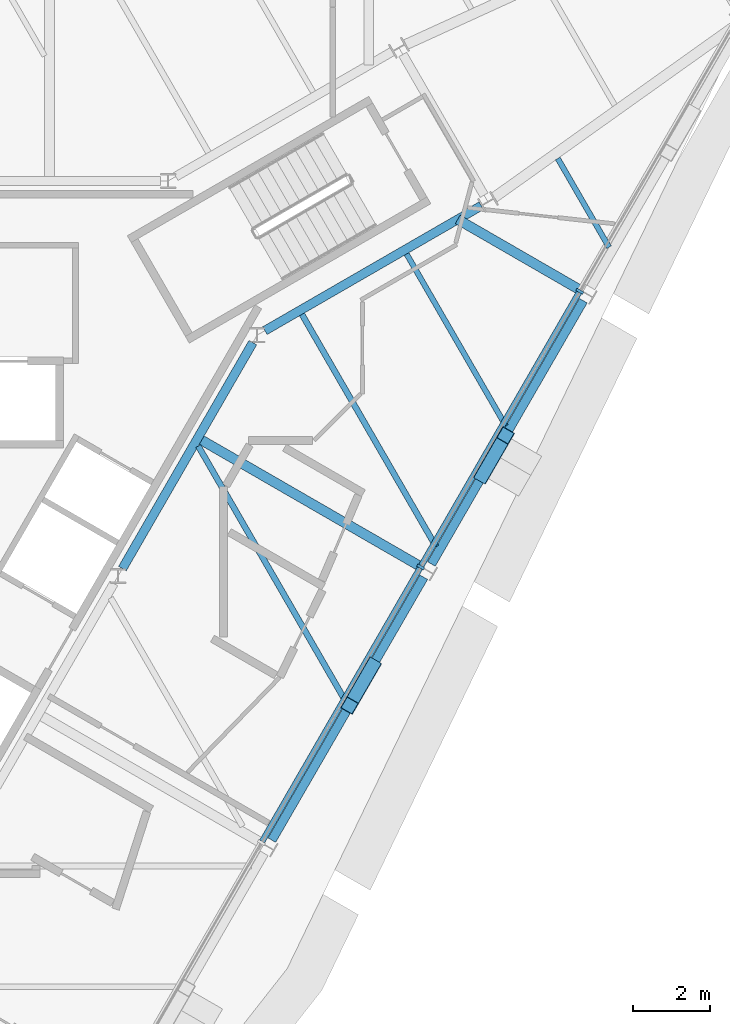
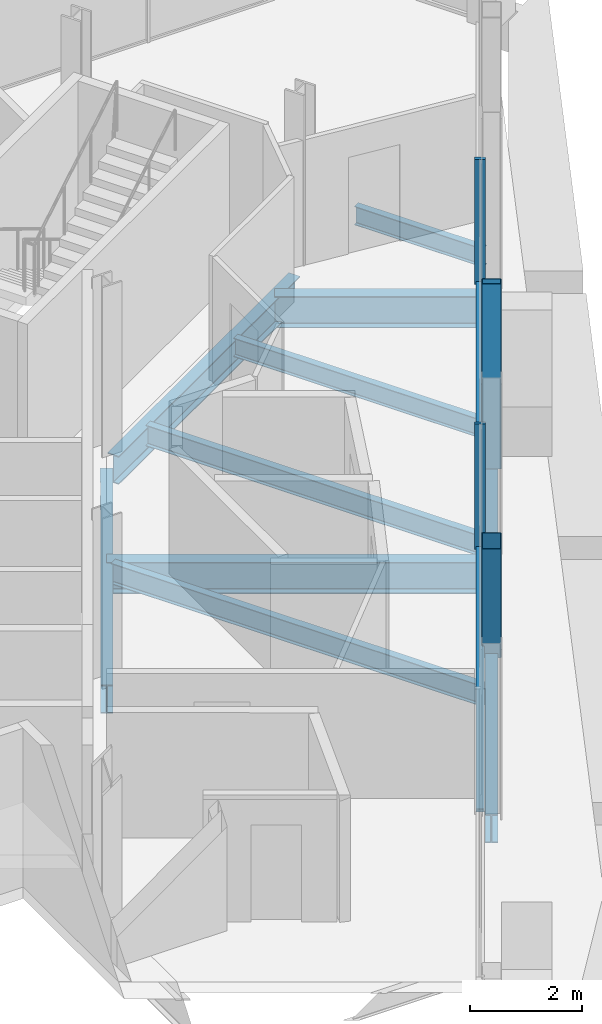
# One storey, part 4 of 12: 10 beams, 6 members, 1 element without a shape of its own.
"""IFC4 building model written with IfcOpenShell, lengths in metres."""

from ifc_helpers import new_model, si_unit, direction, frame, origin, origin_2d, place, context, subcontext, project, spatial, rectangle, hollow_rectangle, i_section, extrude, material, material_profile, profile_set, type_object, element, aggregate, save


model = new_model("IFC4")

# Units and contexts
model_context = context("Model", 3, precision=1e-05, world=origin(), true_north=direction((0.0, 1.0)))
body_context = subcontext(model_context, "Body", "Model", "MODEL_VIEW")
ifc_project = project(units=[si_unit("LENGTHUNIT", "METRE"), si_unit("AREAUNIT", "SQUARE_METRE"), si_unit("VOLUMEUNIT", "CUBIC_METRE"), si_unit("PLANEANGLEUNIT", "RADIAN"), si_unit("MASSUNIT", "GRAM", prefix="KILO")], contexts=[model_context])

# Site, building, storey
site_placement = place(None, origin())
site = spatial("IfcSite", under=ifc_project, at=site_placement, CompositionType="ELEMENT")
building_placement = place(site_placement, origin())
building = spatial("IfcBuilding", under=site, at=building_placement, Name="Verrane Prism Tower", CompositionType="ELEMENT")
storey_placement = place(building_placement, frame((0.0, 0.0, 271.39990234375)))
storey = spatial("IfcBuildingStorey", under=building, at=storey_placement, Name="L68", CompositionType="ELEMENT", Elevation=271.39990234375)

# Beams
ifc_material_1 = material(Name="Steel A992", Category="steel")
ifc_material_profile_1 = material_profile(ifc_material_1, i_section(OverallWidth=0.23046875, OverallDepth=0.6171875, WebThickness=0.01318359375, FlangeThickness=0.022216796875, FilletRadius=0.012939453125, at=origin_2d()), Name="W24x94")
ifc_profile_set_1 = profile_set([ifc_material_profile_1], Name="Steel A992")
beam_type_1 = type_object("IfcBeamType", Name="Core ring girder W24x94", PredefinedType="BEAM", material=ifc_profile_set_1)
beam_1_placement = place(storey_placement, frame((9.679443359375, 2.93505859375, -0.55859375), z_axis=(0.866080992722, 0.499903704773, 0.0), x_axis=(-0.499903704773, 0.866080992722, 0.0)))
element("IfcBeam", 1, at=beam_1_placement, inside=storey, type_object=beam_type_1, Name="Core ring girder L68", PredefinedType="BEAM", context=body_context, shape_type="SweptSolid", body=[
    extrude(i_section(OverallWidth=0.23046875, OverallDepth=0.6171875, WebThickness=0.01318359375, FlangeThickness=0.022216796875, FilletRadius=0.012939453125, at=origin_2d()), origin(), (0.0, 0.0, 1.0), 6.451904296875),
])
beam_2_placement = place(storey_placement, frame((6.00146484375, -3.20703125, -0.55859375), z_axis=(0.499881421193, 0.866093854468, 0.0), x_axis=(-0.866093854468, 0.499881421193, 0.0)))
element("IfcBeam", 2, at=beam_2_placement, inside=storey, type_object=beam_type_1, Name="Core ring girder L68", PredefinedType="BEAM", context=body_context, shape_type="SweptSolid", body=[
    extrude(i_section(OverallWidth=0.23046875, OverallDepth=0.6171875, WebThickness=0.01318359375, FlangeThickness=0.022216796875, FilletRadius=0.012939453125, at=origin_2d()), origin(), (0.0, 0.0, 1.0), 6.736083984375),
])

# Members
ifc_material_2 = material(Name="Steel A500 Grade C", Category="steel")
ifc_material_profile_2 = material_profile(ifc_material_2, hollow_rectangle(XDim=0.355712890625, YDim=0.355712890625, WallThickness=0.0126953125, InnerFilletRadius=0.00634765625, OuterFilletRadius=0.01904296875, at=origin_2d()), Name="HSS14x14x1/2")
ifc_profile_set_2 = profile_set([ifc_material_profile_2], Name="Steel A500 Grade C")
member_type_1 = type_object("IfcMemberType", Name="Facade brace HSS14x14x1/2", PredefinedType="BRACE", material=ifc_profile_set_2)
member_1_placement = place(storey_placement, frame((12.4599609375, -5.717529296875, -0.216552734375), z_axis=(-0.17403322665, -0.301156262578, 0.937559246945), x_axis=(0.865825429664, -0.500346205489, 0.0)))
element("IfcMember", 3, at=member_1_placement, inside=storey, type_object=member_type_1, Name="Facade brace SE2 L68", PredefinedType="BRACE", context=body_context, shape_type="SweptSolid", body=[
    extrude(hollow_rectangle(XDim=0.355712890625, YDim=0.355712890625, WallThickness=0.0126953125, InnerFilletRadius=0.00634765625, OuterFilletRadius=0.01904296875, at=origin_2d()), origin(), (0.0, 0.0, 1.0), 3.408935546875),
])
member_2_placement = place(storey_placement, frame((15.300048828125, -0.799072265625, -0.216552734375), z_axis=(0.174010693257, 0.30154692564, 0.937437854084), x_axis=(-0.86613421761, 0.499811481546, 0.0)))
element("IfcMember", 4, at=member_2_placement, inside=storey, type_object=member_type_1, Name="Facade brace SE3 L68", PredefinedType="BRACE", context=body_context, shape_type="SweptSolid", body=[
    extrude(hollow_rectangle(XDim=0.355712890625, YDim=0.355712890625, WallThickness=0.0126953125, InnerFilletRadius=0.00634765625, OuterFilletRadius=0.01904296875, at=origin_2d()), origin(), (0.0, 0.0, 1.0), 3.409423828125),
])

# Beams
ifc_material_3 = material(Name="Steel A992", Category="steel")
ifc_material_profile_3 = material_profile(ifc_material_3, i_section(OverallWidth=0.140380859375, OverallDepth=0.40380859375, WebThickness=0.007080078125, FlangeThickness=0.01123046875, FilletRadius=0.01025390625, at=origin_2d()), Name="W16x31")
ifc_profile_set_3 = profile_set([ifc_material_profile_3], Name="Steel A992")
beam_type_2 = type_object("IfcBeamType", Name="Floor beam W16x31", PredefinedType="BEAM", material=ifc_profile_set_3)
beam_3_placement = place(storey_placement, frame((15.902099609375, 0.474609375, -0.36181640625), z_axis=(-0.500011000363, 0.866019052629, 0.0), x_axis=(-0.866019052629, -0.500011000363, 0.0)))
element("IfcBeam", 5, at=beam_3_placement, inside=storey, type_object=beam_type_2, Name="Floor beam L68", PredefinedType="BEAM", context=body_context, shape_type="SweptSolid", body=[
    extrude(i_section(OverallWidth=0.140380859375, OverallDepth=0.40380859375, WebThickness=0.007080078125, FlangeThickness=0.01123046875, FilletRadius=0.01025390625, at=origin_2d()), origin(), (0.0, 0.0, 1.0), 5.126953125),
])
beam_4_placement = place(storey_placement, frame((18.565185546875, 5.089599609375, -0.36181640625), z_axis=(-0.49994082229, 0.866059567356, 0.0), x_axis=(-0.866059567356, -0.49994082229, 0.0)))
element("IfcBeam", 6, at=beam_4_placement, inside=storey, type_object=beam_type_2, Name="Floor beam L68", PredefinedType="BEAM", context=body_context, shape_type="SweptSolid", body=[
    extrude(i_section(OverallWidth=0.140380859375, OverallDepth=0.40380859375, WebThickness=0.007080078125, FlangeThickness=0.01123046875, FilletRadius=0.01025390625, at=origin_2d()), origin(), (0.0, 0.0, 1.0), 2.645263671875),
])
ifc_material_4 = material(Name="Steel A992", Category="steel")
ifc_material_profile_4 = material_profile(ifc_material_4, i_section(OverallWidth=0.15234375, OverallDepth=0.449462890625, WebThickness=0.007568359375, FlangeThickness=0.0107421875, FilletRadius=0.01025390625, at=origin_2d()), Name="W18x35")
ifc_profile_set_4 = profile_set([ifc_material_profile_4], Name="Steel A992")
beam_type_3 = type_object("IfcBeamType", Name="Floor beam W18x35", PredefinedType="BEAM", material=ifc_profile_set_4)
beam_5_placement = place(storey_placement, frame((11.78076171875, -6.6630859375, -0.384765625), z_axis=(-0.499997113229, 0.866027070456, 0.0), x_axis=(-0.866027070456, -0.499997113229, 0.0)))
element("IfcBeam", 7, at=beam_5_placement, inside=storey, type_object=beam_type_3, Name="Floor beam L68", PredefinedType="BEAM", context=body_context, shape_type="SweptSolid", body=[
    extrude(i_section(OverallWidth=0.15234375, OverallDepth=0.449462890625, WebThickness=0.007568359375, FlangeThickness=0.0107421875, FilletRadius=0.01025390625, at=origin_2d()), origin(), (0.0, 0.0, 1.0), 7.64306640625),
])
beam_6_placement = place(storey_placement, frame((14.1015625, -2.64599609375, -0.384765625), z_axis=(-0.49999287541, 0.866029517129, 0.0), x_axis=(-0.866029517129, -0.49999287541, 0.0)))
element("IfcBeam", 8, at=beam_6_placement, inside=storey, type_object=beam_type_3, Name="Floor beam L68", PredefinedType="BEAM", context=body_context, shape_type="SweptSolid", body=[
    extrude(i_section(OverallWidth=0.15234375, OverallDepth=0.449462890625, WebThickness=0.007568359375, FlangeThickness=0.0107421875, FilletRadius=0.01025390625, at=origin_2d()), origin(), (0.0, 0.0, 1.0), 6.92919921875),
])

# Curtain wall, members
ifc_material_5 = material(Name="Aluminium framed insulated glazing", Category="aluminium")
curtain_wall_type = type_object("IfcCurtainWallType", Name="Curtain wall CW-A 8400 module", PredefinedType="NOTDEFINED", material=ifc_material_5)
curtain_wall_placement = place(storey_placement, origin())
curtain_wall = element("IfcCurtainWall", 9, at=curtain_wall_placement, inside=storey, type_object=curtain_wall_type, Name="Glazed curtain wall south-east face L68", PredefinedType="NOTDEFINED")
ifc_material_6 = material(Name="Aluminium alloy 6063-T6", Category="aluminium")
ifc_material_profile_5 = material_profile(ifc_material_6, rectangle(XDim=0.199951171875, YDim=0.070068359375, at=origin_2d()), Name="Mullion 70x200 aluminium")
ifc_profile_set_5 = profile_set([ifc_material_profile_5], Name="Aluminium alloy 6063-T6")
member_type_2 = type_object("IfcMemberType", Name="Mullion 70x200 aluminium", PredefinedType="MULLION", material=ifc_profile_set_5)
member_3_placement = place(storey_placement, frame((13.7001953125, -3.1650390625, 0.0), z_axis=(0.0, 0.0, 1.0), x_axis=(-0.866024861728, 0.500000938868, 0.0)))
member_3 = element("IfcMember", 10, at=member_3_placement, type_object=member_type_2, Name="CW66.6 mullion 4", PredefinedType="MULLION", context=body_context, shape_type="SweptSolid", body=[
    extrude(rectangle(XDim=0.199951171875, YDim=0.070068359375, at=origin_2d()), origin(), (0.0, 0.0, 1.0), 2.72314453125),
])
member_4_placement = place(storey_placement, frame((17.8095703125, 3.952392578125, 0.0), z_axis=(0.0, 0.0, 1.0), x_axis=(-0.866024861728, 0.500000938868, 0.0)))
member_4 = element("IfcMember", 11, at=member_4_placement, type_object=member_type_2, Name="CW66.6 mullion 5", PredefinedType="MULLION", context=body_context, shape_type="SweptSolid", body=[
    extrude(rectangle(XDim=0.199951171875, YDim=0.070068359375, at=origin_2d()), origin(), (0.0, 0.0, 1.0), 2.72314453125),
])

# Beams
ifc_material_7 = material(Name="Steel A992", Category="steel")
ifc_material_profile_6 = material_profile(ifc_material_7, i_section(OverallWidth=0.25390625, OverallDepth=0.683349609375, WebThickness=0.012451171875, FlangeThickness=0.01904296875, FilletRadius=0.01513671875, at=origin_2d()), Name="W27x94")
ifc_profile_set_6 = profile_set([ifc_material_profile_6], Name="Steel A992")
beam_type_4 = type_object("IfcBeamType", Name="Radial girder W27x94", PredefinedType="BEAM", material=ifc_profile_set_6)
beam_7_placement = place(storey_placement, frame((13.71728515625, -3.166015625, -0.5615234375), z_axis=(-0.866033637652, 0.499985738252, 0.0), x_axis=(-0.499985738252, -0.866033637652, 0.0)))
element("IfcBeam", 12, at=beam_7_placement, inside=storey, type_object=beam_type_4, Name="Radial girder L68", PredefinedType="BEAM", context=body_context, shape_type="SweptSolid", body=[
    extrude(i_section(OverallWidth=0.25390625, OverallDepth=0.683349609375, WebThickness=0.012451171875, FlangeThickness=0.01904296875, FilletRadius=0.01513671875, at=origin_2d()), origin(), (0.0, 0.0, 1.0), 6.662353515625),
])
beam_8_placement = place(storey_placement, frame((17.837158203125, 3.97412109375, -0.5615234375), z_axis=(-0.866040472627, 0.499973899091, 0.0), x_axis=(-0.499973899091, -0.866040472627, 0.0)))
element("IfcBeam", 13, at=beam_8_placement, inside=storey, type_object=beam_type_4, Name="Radial girder L68", PredefinedType="BEAM", context=body_context, shape_type="SweptSolid", body=[
    extrude(i_section(OverallWidth=0.25390625, OverallDepth=0.683349609375, WebThickness=0.012451171875, FlangeThickness=0.01904296875, FilletRadius=0.01513671875, at=origin_2d()), origin(), (0.0, 0.0, 1.0), 3.670166015625),
])
ifc_material_8 = material(Name="Steel A992", Category="steel")
ifc_material_profile_7 = material_profile(ifc_material_8, i_section(OverallWidth=0.23046875, OverallDepth=0.6171875, WebThickness=0.01318359375, FlangeThickness=0.022216796875, FilletRadius=0.012939453125, at=origin_2d()), Name="W24x94")
ifc_profile_set_7 = profile_set([ifc_material_profile_7], Name="Steel A992")
beam_type_5 = type_object("IfcBeamType", Name="Spandrel beam W24x94", PredefinedType="SPANDREL", material=ifc_profile_set_7)
beam_9_placement = place(storey_placement, frame((9.8583984375, -10.219482421875, -0.468505859375), z_axis=(0.500327915282, 0.865835999015, 0.0), x_axis=(-0.865835999015, 0.500327915282, 0.0)))
element("IfcBeam", 14, at=beam_9_placement, inside=storey, type_object=beam_type_5, Name="Spandrel beam L68", PredefinedType="SPANDREL", context=body_context, shape_type="SweptSolid", body=[
    extrude(i_section(OverallWidth=0.23046875, OverallDepth=0.6171875, WebThickness=0.01318359375, FlangeThickness=0.022216796875, FilletRadius=0.012939453125, at=origin_2d()), origin(), (0.0, 0.0, 1.0), 7.841064453125),
])
beam_10_placement = place(storey_placement, frame((13.978515625, -3.089599609375, -0.468505859375), z_axis=(0.499775405071, 0.866155034902, 0.0), x_axis=(-0.866155034902, 0.499775405071, 0.0)))
element("IfcBeam", 15, at=beam_10_placement, inside=storey, type_object=beam_type_5, Name="Spandrel beam L68", PredefinedType="SPANDREL", context=body_context, shape_type="SweptSolid", body=[
    extrude(i_section(OverallWidth=0.23046875, OverallDepth=0.6171875, WebThickness=0.01318359375, FlangeThickness=0.022216796875, FilletRadius=0.012939453125, at=origin_2d()), origin(), (0.0, 0.0, 1.0), 7.849609375),
])

# Member
ifc_material_9 = material(Name="Aluminium alloy 6063-T6", Category="aluminium")
ifc_material_profile_8 = material_profile(ifc_material_9, rectangle(XDim=0.14990234375, YDim=0.070068359375, at=origin_2d()), Name="Transom 70x150 aluminium")
ifc_profile_set_8 = profile_set([ifc_material_profile_8], Name="Aluminium alloy 6063-T6")
member_type_3 = type_object("IfcMemberType", Name="Transom 70x150 aluminium", PredefinedType="USERDEFINED", material=ifc_profile_set_8)
member_5_placement = place(storey_placement, frame((9.608642578125, -10.251953125, 0.03515625), z_axis=(0.500006018292, 0.866021929094, 0.0), x_axis=(-0.866021929094, 0.500006018292, 0.0)))
member_5 = element("IfcMember", 16, at=member_5_placement, type_object=member_type_3, Name="CW66.6 transom 3", ObjectType="TRANSOM", PredefinedType="USERDEFINED", context=body_context, shape_type="SweptSolid", body=[
    extrude(rectangle(XDim=0.14990234375, YDim=0.070068359375, at=origin_2d()), origin(), (0.0, 0.0, 1.0), 8.1484375),
])

member_6_placement = place(storey_placement, frame((13.7177734375, -3.134521484375, 0.03515625), z_axis=(0.500006018292, 0.866021929094, 0.0), x_axis=(-0.866021929094, 0.500006018292, 0.0)))
member_6 = element("IfcMember", 17, at=member_6_placement, type_object=member_type_3, Name="CW66.6 transom 4", ObjectType="TRANSOM", PredefinedType="USERDEFINED", context=body_context, shape_type="SweptSolid", body=[
    extrude(rectangle(XDim=0.14990234375, YDim=0.070068359375, at=origin_2d()), origin(), (0.0, 0.0, 1.0), 8.1484375),
])

aggregate(curtain_wall, [member_3, member_4, member_5, member_6])

save(model, "model.ifc")
